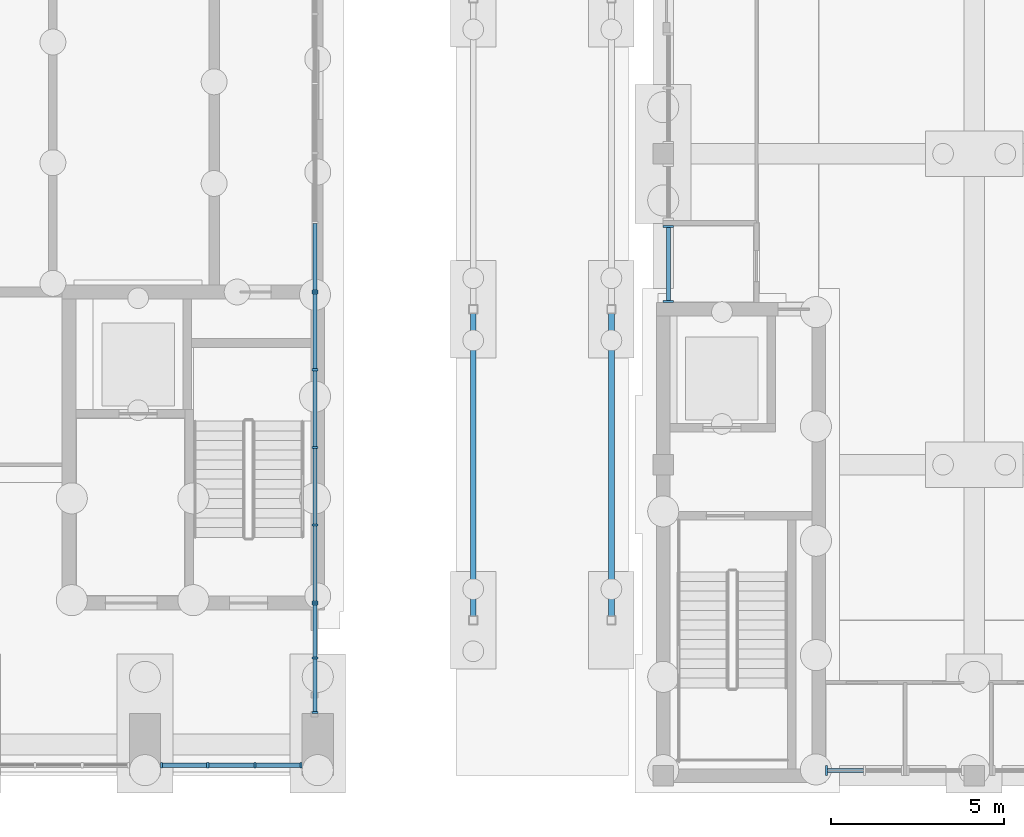
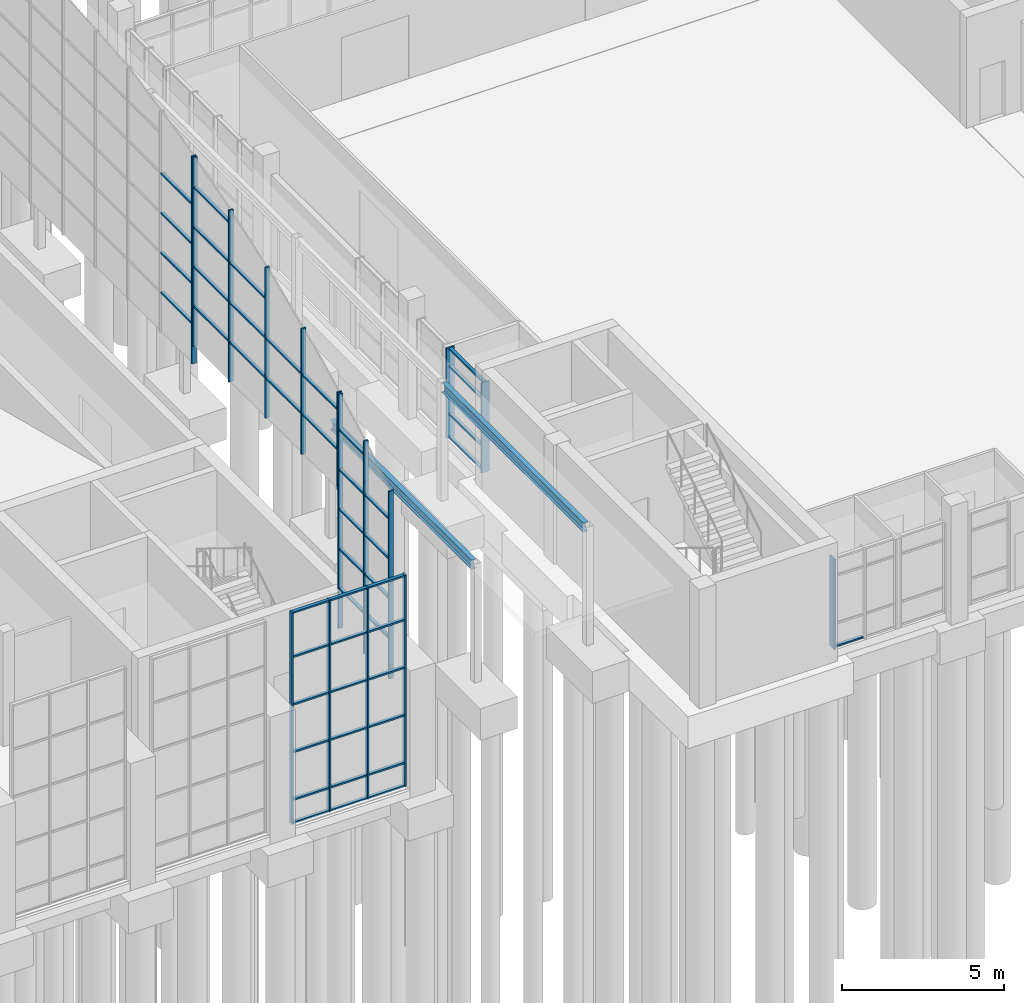
# One storey, part 28 of 106: 63 members, 2 beams, 6 elements without a shape of their own.
"""IFC4 building model written with IfcOpenShell, lengths in metres."""

from ifc_helpers import new_model, si_unit, direction, frame, origin, origin_2d, place, context, subcontext, project, spatial, rectangle, i_section, extrude, material, material_profile, profile_set, type_object, element, aggregate, save


model = new_model("IFC4")

# Units and contexts
model_context = context("Model", 3, precision=1e-05, world=origin(), true_north=direction((0.0, 1.0)))
body_context = subcontext(model_context, "Body", "Model", "MODEL_VIEW")
ifc_project = project(units=[si_unit("LENGTHUNIT", "METRE"), si_unit("AREAUNIT", "SQUARE_METRE"), si_unit("VOLUMEUNIT", "CUBIC_METRE"), si_unit("PLANEANGLEUNIT", "RADIAN"), si_unit("MASSUNIT", "GRAM", prefix="KILO")], contexts=[model_context])

# Site, building, storey
site_placement = place(None, origin())
site = spatial("IfcSite", under=ifc_project, at=site_placement, CompositionType="ELEMENT")
building_placement = place(site_placement, origin())
building = spatial("IfcBuilding", under=site, at=building_placement, Name="Merrow Basin Faculty of Sciences", CompositionType="ELEMENT")
storey_placement = place(building_placement, origin())
storey = spatial("IfcBuildingStorey", under=building, at=storey_placement, Name="L00", CompositionType="ELEMENT", Elevation=0.0)

# Curtain wall, members
ifc_material_1 = material(Name="Aluminium alloy 6063", Category="aluminium")
curtain_wall_type_1 = type_object("IfcCurtainWallType", Name="Arched curtain wall 160", PredefinedType="NOTDEFINED", material=ifc_material_1)
curtain_wall_1_placement = place(storey_placement, origin())
curtain_wall_1 = element("IfcCurtainWall", 1, at=curtain_wall_1_placement, inside=storey, type_object=curtain_wall_type_1, Name="East gable glazing A", PredefinedType="NOTDEFINED")
ifc_material_2 = material(Name="Aluminium alloy 6063", Category="aluminium")
ifc_material_profile_1 = material_profile(ifc_material_2, rectangle(XDim=0.159912109375, YDim=0.06005859375, at=origin_2d()))
ifc_profile_set_1 = profile_set([ifc_material_profile_1], Name="Aluminium alloy 6063")
member_type_1 = type_object("IfcMemberType", Name="Aluminium gable mullion 60x160", PredefinedType="MULLION", material=ifc_profile_set_1)
member_1_placement = place(storey_placement, frame((34.919921875, 1.830078125, 3.0), z_axis=(0.0, 0.0, 1.0), x_axis=(1.0, 0.0, 0.0)))
member_1 = element("IfcMember", 2, at=member_1_placement, type_object=member_type_1, Name="CW4 mullion 1", PredefinedType="MULLION", context=body_context, shape_type="SweptSolid", body=[
    extrude(rectangle(XDim=0.159912109375, YDim=0.06005859375, at=origin_2d()), origin(), (0.0, 0.0, 1.0), 7.090087890625),
])
member_2_placement = place(storey_placement, frame((34.919921875, 3.39990234375, 3.0), z_axis=(0.0, 0.0, 1.0), x_axis=(1.0, 0.0, 0.0)))
member_2 = element("IfcMember", 3, at=member_2_placement, type_object=member_type_1, Name="CW4 mullion 2", PredefinedType="MULLION", context=body_context, shape_type="SweptSolid", body=[
    extrude(rectangle(XDim=0.159912109375, YDim=0.06005859375, at=origin_2d()), origin(), (0.0, 0.0, 1.0), 8.034912109375),
])
member_3_placement = place(storey_placement, frame((34.919921875, 4.969970703125, 3.0), z_axis=(0.0, 0.0, 1.0), x_axis=(1.0, 0.0, 0.0)))
member_3 = element("IfcMember", 4, at=member_3_placement, type_object=member_type_1, Name="CW4 mullion 3", PredefinedType="MULLION", context=body_context, shape_type="SweptSolid", body=[
    extrude(rectangle(XDim=0.159912109375, YDim=0.06005859375, at=origin_2d()), origin(), (0.0, 0.0, 1.0), 8.85595703125),
])

curtain_wall_2_placement = place(storey_placement, origin())
curtain_wall_2 = element("IfcCurtainWall", 5, at=curtain_wall_2_placement, inside=storey, type_object=curtain_wall_type_1, Name="East gable glazing B", PredefinedType="NOTDEFINED")
member_4_placement = place(storey_placement, frame((34.919921875, 5.030029296875, 8.199951171875), z_axis=(0.0, 0.0, 1.0), x_axis=(1.0, 0.0, 0.0)))
member_4 = element("IfcMember", 6, at=member_4_placement, type_object=member_type_1, Name="CW4 mullion 1", PredefinedType="MULLION", context=body_context, shape_type="SweptSolid", body=[
    extrude(rectangle(XDim=0.159912109375, YDim=0.06005859375, at=origin_2d()), origin(), (0.0, 0.0, 1.0), 3.68798828125),
])
member_5_placement = place(storey_placement, frame((34.919921875, 7.25, 8.199951171875), z_axis=(0.0, 0.0, 1.0), x_axis=(1.0, 0.0, 0.0)))
member_5 = element("IfcMember", 7, at=member_5_placement, type_object=member_type_1, Name="CW4 mullion 2", PredefinedType="MULLION", context=body_context, shape_type="SweptSolid", body=[
    extrude(rectangle(XDim=0.159912109375, YDim=0.06005859375, at=origin_2d()), origin(), (0.0, 0.0, 1.0), 4.7451171875),
])
member_6_placement = place(storey_placement, frame((34.919921875, 9.5, 8.199951171875), z_axis=(0.0, 0.0, 1.0), x_axis=(1.0, 0.0, 0.0)))
member_6 = element("IfcMember", 8, at=member_6_placement, type_object=member_type_1, Name="CW4 mullion 3", PredefinedType="MULLION", context=body_context, shape_type="SweptSolid", body=[
    extrude(rectangle(XDim=0.159912109375, YDim=0.06005859375, at=origin_2d()), origin(), (0.0, 0.0, 1.0), 5.68798828125),
])
member_7_placement = place(storey_placement, frame((34.919921875, 11.75, 8.199951171875), z_axis=(0.0, 0.0, 1.0), x_axis=(1.0, 0.0, 0.0)))
member_7 = element("IfcMember", 9, at=member_7_placement, type_object=member_type_1, Name="CW4 mullion 4", PredefinedType="MULLION", context=body_context, shape_type="SweptSolid", body=[
    extrude(rectangle(XDim=0.159912109375, YDim=0.06005859375, at=origin_2d()), origin(), (0.0, 0.0, 1.0), 6.486083984375),
])
member_8_placement = place(storey_placement, frame((34.919921875, 13.969970703125, 8.199951171875), z_axis=(0.0, 0.0, 1.0), x_axis=(1.0, 0.0, 0.0)))
member_8 = element("IfcMember", 10, at=member_8_placement, type_object=member_type_1, Name="CW4 mullion 5", PredefinedType="MULLION", context=body_context, shape_type="SweptSolid", body=[
    extrude(rectangle(XDim=0.159912109375, YDim=0.06005859375, at=origin_2d()), origin(), (0.0, 0.0, 1.0), 7.129150390625),
])

# Curtain wall, member
curtain_wall_3_placement = place(storey_placement, origin())
curtain_wall_3 = element("IfcCurtainWall", 11, at=curtain_wall_3_placement, inside=storey, type_object=curtain_wall_type_1, Name="East gable glazing C", PredefinedType="NOTDEFINED")
member_9_placement = place(storey_placement, frame((34.919921875, 14.030029296875, 7.5), z_axis=(0.0, 0.0, 1.0), x_axis=(1.0, 0.0, 0.0)))
member_9 = element("IfcMember", 12, at=member_9_placement, type_object=member_type_1, Name="CW4 mullion 1", PredefinedType="MULLION", context=body_context, shape_type="SweptSolid", body=[
    extrude(rectangle(XDim=0.159912109375, YDim=0.06005859375, at=origin_2d()), origin(), (0.0, 0.0, 1.0), 7.845947265625),
])

# Member
ifc_material_3 = material(Name="Aluminium alloy 6063", Category="aluminium")
ifc_material_profile_2 = material_profile(ifc_material_3, rectangle(XDim=0.1201171875, YDim=0.06005859375, at=origin_2d()))
ifc_profile_set_2 = profile_set([ifc_material_profile_2], Name="Aluminium alloy 6063")
member_type_2 = type_object("IfcMemberType", Name="Aluminium gable transom 60x120", PredefinedType="USERDEFINED", material=ifc_profile_set_2)
member_10_placement = place(storey_placement, frame((34.919921875, 1.860107421875, 4.5), z_axis=(0.0, 1.0, 0.0), x_axis=(-1.0, 0.0, 0.0)))
member_10 = element("IfcMember", 13, at=member_10_placement, type_object=member_type_2, Name="CW4 transom 1.1", ObjectType="TRANSOM", PredefinedType="USERDEFINED", context=body_context, shape_type="SweptSolid", body=[
    extrude(rectangle(XDim=0.1201171875, YDim=0.06005859375, at=origin_2d()), origin(), (0.0, 0.0, 1.0), 1.510009765625),
])

member_11_placement = place(storey_placement, frame((34.919921875, 1.860107421875, 6.0), z_axis=(0.0, 1.0, 0.0), x_axis=(-1.0, 0.0, 0.0)))
member_11 = element("IfcMember", 14, at=member_11_placement, type_object=member_type_2, Name="CW4 transom 1.2", ObjectType="TRANSOM", PredefinedType="USERDEFINED", context=body_context, shape_type="SweptSolid", body=[
    extrude(rectangle(XDim=0.1201171875, YDim=0.06005859375, at=origin_2d()), origin(), (0.0, 0.0, 1.0), 1.510009765625),
])

member_12_placement = place(storey_placement, frame((34.919921875, 1.860107421875, 7.5), z_axis=(0.0, 1.0, 0.0), x_axis=(-1.0, 0.0, 0.0)))
member_12 = element("IfcMember", 15, at=member_12_placement, type_object=member_type_2, Name="CW4 transom 1.3", ObjectType="TRANSOM", PredefinedType="USERDEFINED", context=body_context, shape_type="SweptSolid", body=[
    extrude(rectangle(XDim=0.1201171875, YDim=0.06005859375, at=origin_2d()), origin(), (0.0, 0.0, 1.0), 1.510009765625),
])

member_13_placement = place(storey_placement, frame((34.919921875, 1.860107421875, 9.0), z_axis=(0.0, 1.0, 0.0), x_axis=(-1.0, 0.0, 0.0)))
member_13 = element("IfcMember", 16, at=member_13_placement, type_object=member_type_2, Name="CW4 transom 1.4", ObjectType="TRANSOM", PredefinedType="USERDEFINED", context=body_context, shape_type="SweptSolid", body=[
    extrude(rectangle(XDim=0.1201171875, YDim=0.06005859375, at=origin_2d()), origin(), (0.0, 0.0, 1.0), 1.510009765625),
])

member_14_placement = place(storey_placement, frame((34.919921875, 3.429931640625, 4.5), z_axis=(0.0, 1.0, 0.0), x_axis=(-1.0, 0.0, 0.0)))
member_14 = element("IfcMember", 17, at=member_14_placement, type_object=member_type_2, Name="CW4 transom 2.1", ObjectType="TRANSOM", PredefinedType="USERDEFINED", context=body_context, shape_type="SweptSolid", body=[
    extrude(rectangle(XDim=0.1201171875, YDim=0.06005859375, at=origin_2d()), origin(), (0.0, 0.0, 1.0), 1.510009765625),
])

member_15_placement = place(storey_placement, frame((34.919921875, 3.429931640625, 6.0), z_axis=(0.0, 1.0, 0.0), x_axis=(-1.0, 0.0, 0.0)))
member_15 = element("IfcMember", 18, at=member_15_placement, type_object=member_type_2, Name="CW4 transom 2.2", ObjectType="TRANSOM", PredefinedType="USERDEFINED", context=body_context, shape_type="SweptSolid", body=[
    extrude(rectangle(XDim=0.1201171875, YDim=0.06005859375, at=origin_2d()), origin(), (0.0, 0.0, 1.0), 1.510009765625),
])

member_16_placement = place(storey_placement, frame((34.919921875, 3.429931640625, 7.5), z_axis=(0.0, 1.0, 0.0), x_axis=(-1.0, 0.0, 0.0)))
member_16 = element("IfcMember", 19, at=member_16_placement, type_object=member_type_2, Name="CW4 transom 2.3", ObjectType="TRANSOM", PredefinedType="USERDEFINED", context=body_context, shape_type="SweptSolid", body=[
    extrude(rectangle(XDim=0.1201171875, YDim=0.06005859375, at=origin_2d()), origin(), (0.0, 0.0, 1.0), 1.510009765625),
])

member_17_placement = place(storey_placement, frame((34.919921875, 3.429931640625, 9.0), z_axis=(0.0, 1.0, 0.0), x_axis=(-1.0, 0.0, 0.0)))
member_17 = element("IfcMember", 20, at=member_17_placement, type_object=member_type_2, Name="CW4 transom 2.4", ObjectType="TRANSOM", PredefinedType="USERDEFINED", context=body_context, shape_type="SweptSolid", body=[
    extrude(rectangle(XDim=0.1201171875, YDim=0.06005859375, at=origin_2d()), origin(), (0.0, 0.0, 1.0), 1.510009765625),
])

member_18_placement = place(storey_placement, frame((34.919921875, 3.429931640625, 10.5), z_axis=(0.0, 1.0, 0.0), x_axis=(-1.0, 0.0, 0.0)))
member_18 = element("IfcMember", 21, at=member_18_placement, type_object=member_type_2, Name="CW4 transom 2.5", ObjectType="TRANSOM", PredefinedType="USERDEFINED", context=body_context, shape_type="SweptSolid", body=[
    extrude(rectangle(XDim=0.1201171875, YDim=0.06005859375, at=origin_2d()), origin(), (0.0, 0.0, 1.0), 1.510009765625),
])

aggregate(curtain_wall_1, [member_1, member_2, member_3, member_10, member_11, member_12, member_13, member_14, member_15, member_16, member_17, member_18])

member_19_placement = place(storey_placement, frame((34.919921875, 5.06005859375, 9.699951171875), z_axis=(0.0, 1.0, 0.0), x_axis=(-1.0, 0.0, 0.0)))
member_19 = element("IfcMember", 22, at=member_19_placement, type_object=member_type_2, Name="CW4 transom 1.1", ObjectType="TRANSOM", PredefinedType="USERDEFINED", context=body_context, shape_type="SweptSolid", body=[
    extrude(rectangle(XDim=0.1201171875, YDim=0.06005859375, at=origin_2d()), origin(), (0.0, 0.0, 1.0), 2.159912109375),
])

member_20_placement = place(storey_placement, frame((34.919921875, 5.06005859375, 11.199951171875), z_axis=(0.0, 1.0, 0.0), x_axis=(-1.0, 0.0, 0.0)))
member_20 = element("IfcMember", 23, at=member_20_placement, type_object=member_type_2, Name="CW4 transom 1.2", ObjectType="TRANSOM", PredefinedType="USERDEFINED", context=body_context, shape_type="SweptSolid", body=[
    extrude(rectangle(XDim=0.1201171875, YDim=0.06005859375, at=origin_2d()), origin(), (0.0, 0.0, 1.0), 2.159912109375),
])

member_21_placement = place(storey_placement, frame((34.919921875, 7.280029296875, 9.699951171875), z_axis=(0.0, 1.0, 0.0), x_axis=(-1.0, 0.0, 0.0)))
member_21 = element("IfcMember", 24, at=member_21_placement, type_object=member_type_2, Name="CW4 transom 2.1", ObjectType="TRANSOM", PredefinedType="USERDEFINED", context=body_context, shape_type="SweptSolid", body=[
    extrude(rectangle(XDim=0.1201171875, YDim=0.06005859375, at=origin_2d()), origin(), (0.0, 0.0, 1.0), 2.18994140625),
])

member_22_placement = place(storey_placement, frame((34.919921875, 7.280029296875, 11.199951171875), z_axis=(0.0, 1.0, 0.0), x_axis=(-1.0, 0.0, 0.0)))
member_22 = element("IfcMember", 25, at=member_22_placement, type_object=member_type_2, Name="CW4 transom 2.2", ObjectType="TRANSOM", PredefinedType="USERDEFINED", context=body_context, shape_type="SweptSolid", body=[
    extrude(rectangle(XDim=0.1201171875, YDim=0.06005859375, at=origin_2d()), origin(), (0.0, 0.0, 1.0), 2.18994140625),
])

member_23_placement = place(storey_placement, frame((34.919921875, 9.530029296875, 9.699951171875), z_axis=(0.0, 1.0, 0.0), x_axis=(-1.0, 0.0, 0.0)))
member_23 = element("IfcMember", 26, at=member_23_placement, type_object=member_type_2, Name="CW4 transom 3.1", ObjectType="TRANSOM", PredefinedType="USERDEFINED", context=body_context, shape_type="SweptSolid", body=[
    extrude(rectangle(XDim=0.1201171875, YDim=0.06005859375, at=origin_2d()), origin(), (0.0, 0.0, 1.0), 2.18994140625),
])

member_24_placement = place(storey_placement, frame((34.919921875, 9.530029296875, 11.199951171875), z_axis=(0.0, 1.0, 0.0), x_axis=(-1.0, 0.0, 0.0)))
member_24 = element("IfcMember", 27, at=member_24_placement, type_object=member_type_2, Name="CW4 transom 3.2", ObjectType="TRANSOM", PredefinedType="USERDEFINED", context=body_context, shape_type="SweptSolid", body=[
    extrude(rectangle(XDim=0.1201171875, YDim=0.06005859375, at=origin_2d()), origin(), (0.0, 0.0, 1.0), 2.18994140625),
])

member_25_placement = place(storey_placement, frame((34.919921875, 9.530029296875, 12.699951171875), z_axis=(0.0, 1.0, 0.0), x_axis=(-1.0, 0.0, 0.0)))
member_25 = element("IfcMember", 28, at=member_25_placement, type_object=member_type_2, Name="CW4 transom 3.3", ObjectType="TRANSOM", PredefinedType="USERDEFINED", context=body_context, shape_type="SweptSolid", body=[
    extrude(rectangle(XDim=0.1201171875, YDim=0.06005859375, at=origin_2d()), origin(), (0.0, 0.0, 1.0), 2.18994140625),
])

member_26_placement = place(storey_placement, frame((34.919921875, 11.780029296875, 9.699951171875), z_axis=(0.0, 1.0, 0.0), x_axis=(-1.0, 0.0, 0.0)))
member_26 = element("IfcMember", 29, at=member_26_placement, type_object=member_type_2, Name="CW4 transom 4.1", ObjectType="TRANSOM", PredefinedType="USERDEFINED", context=body_context, shape_type="SweptSolid", body=[
    extrude(rectangle(XDim=0.1201171875, YDim=0.06005859375, at=origin_2d()), origin(), (0.0, 0.0, 1.0), 2.159912109375),
])

member_27_placement = place(storey_placement, frame((34.919921875, 11.780029296875, 11.199951171875), z_axis=(0.0, 1.0, 0.0), x_axis=(-1.0, 0.0, 0.0)))
member_27 = element("IfcMember", 30, at=member_27_placement, type_object=member_type_2, Name="CW4 transom 4.2", ObjectType="TRANSOM", PredefinedType="USERDEFINED", context=body_context, shape_type="SweptSolid", body=[
    extrude(rectangle(XDim=0.1201171875, YDim=0.06005859375, at=origin_2d()), origin(), (0.0, 0.0, 1.0), 2.159912109375),
])

member_28_placement = place(storey_placement, frame((34.919921875, 11.780029296875, 12.699951171875), z_axis=(0.0, 1.0, 0.0), x_axis=(-1.0, 0.0, 0.0)))
member_28 = element("IfcMember", 31, at=member_28_placement, type_object=member_type_2, Name="CW4 transom 4.3", ObjectType="TRANSOM", PredefinedType="USERDEFINED", context=body_context, shape_type="SweptSolid", body=[
    extrude(rectangle(XDim=0.1201171875, YDim=0.06005859375, at=origin_2d()), origin(), (0.0, 0.0, 1.0), 2.159912109375),
])

member_29_placement = place(storey_placement, frame((34.919921875, 11.780029296875, 14.199951171875), z_axis=(0.0, 1.0, 0.0), x_axis=(-1.0, 0.0, 0.0)))
member_29 = element("IfcMember", 32, at=member_29_placement, type_object=member_type_2, Name="CW4 transom 4.4", ObjectType="TRANSOM", PredefinedType="USERDEFINED", context=body_context, shape_type="SweptSolid", body=[
    extrude(rectangle(XDim=0.1201171875, YDim=0.06005859375, at=origin_2d()), origin(), (0.0, 0.0, 1.0), 2.159912109375),
])

aggregate(curtain_wall_2, [member_4, member_5, member_6, member_7, member_8, member_19, member_20, member_21, member_22, member_23, member_24, member_25, member_26, member_27, member_28, member_29])

member_30_placement = place(storey_placement, frame((34.919921875, 14.06005859375, 9.0), z_axis=(0.0, 1.0, 0.0), x_axis=(-1.0, 0.0, 0.0)))
member_30 = element("IfcMember", 33, at=member_30_placement, type_object=member_type_2, Name="CW4 transom 1.1", ObjectType="TRANSOM", PredefinedType="USERDEFINED", context=body_context, shape_type="SweptSolid", body=[
    extrude(rectangle(XDim=0.1201171875, YDim=0.06005859375, at=origin_2d()), origin(), (0.0, 0.0, 1.0), 1.9208984375),
])

member_31_placement = place(storey_placement, frame((34.919921875, 14.06005859375, 10.5), z_axis=(0.0, 1.0, 0.0), x_axis=(-1.0, 0.0, 0.0)))
member_31 = element("IfcMember", 34, at=member_31_placement, type_object=member_type_2, Name="CW4 transom 1.2", ObjectType="TRANSOM", PredefinedType="USERDEFINED", context=body_context, shape_type="SweptSolid", body=[
    extrude(rectangle(XDim=0.1201171875, YDim=0.06005859375, at=origin_2d()), origin(), (0.0, 0.0, 1.0), 1.9208984375),
])

member_32_placement = place(storey_placement, frame((34.919921875, 14.06005859375, 12.0), z_axis=(0.0, 1.0, 0.0), x_axis=(-1.0, 0.0, 0.0)))
member_32 = element("IfcMember", 35, at=member_32_placement, type_object=member_type_2, Name="CW4 transom 1.3", ObjectType="TRANSOM", PredefinedType="USERDEFINED", context=body_context, shape_type="SweptSolid", body=[
    extrude(rectangle(XDim=0.1201171875, YDim=0.06005859375, at=origin_2d()), origin(), (0.0, 0.0, 1.0), 1.9208984375),
])

member_33_placement = place(storey_placement, frame((34.919921875, 14.06005859375, 13.5), z_axis=(0.0, 1.0, 0.0), x_axis=(-1.0, 0.0, 0.0)))
member_33 = element("IfcMember", 36, at=member_33_placement, type_object=member_type_2, Name="CW4 transom 1.4", ObjectType="TRANSOM", PredefinedType="USERDEFINED", context=body_context, shape_type="SweptSolid", body=[
    extrude(rectangle(XDim=0.1201171875, YDim=0.06005859375, at=origin_2d()), origin(), (0.0, 0.0, 1.0), 1.9208984375),
])

aggregate(curtain_wall_3, [member_9, member_30, member_31, member_32, member_33])

# Curtain wall, members
ifc_material_4 = material(Name="Aluminium alloy 6063", Category="aluminium")
curtain_wall_type_2 = type_object("IfcCurtainWallType", Name="Unitised curtain wall 160", PredefinedType="NOTDEFINED", material=ifc_material_4)
curtain_wall_4_placement = place(storey_placement, origin())
curtain_wall_4 = element("IfcCurtainWall", 37, at=curtain_wall_4_placement, inside=storey, type_object=curtain_wall_type_2, Name="South foyer curtain wall", PredefinedType="NOTDEFINED")
ifc_material_5 = material(Name="Aluminium alloy 6063", Category="aluminium")
ifc_material_profile_3 = material_profile(ifc_material_5, rectangle(XDim=0.159912109375, YDim=0.06005859375, at=origin_2d()))
ifc_profile_set_3 = profile_set([ifc_material_profile_3], Name="Aluminium alloy 6063")
member_type_3 = type_object("IfcMemberType", Name="Aluminium mullion 60x160", PredefinedType="MULLION", material=ifc_profile_set_3)
member_34_placement = place(storey_placement, frame((30.47998046875, 0.300048828125, 0.0), z_axis=(0.0, 0.0, 1.0), x_axis=(0.0, 1.0, 0.0)))
member_34 = element("IfcMember", 38, at=member_34_placement, type_object=member_type_3, Name="CW3 mullion 1", PredefinedType="MULLION", context=body_context, shape_type="SweptSolid", body=[
    extrude(rectangle(XDim=0.159912109375, YDim=0.06005859375, at=origin_2d()), origin(), (0.0, 0.0, 1.0), 8.0),
])
member_35_placement = place(storey_placement, frame((31.816650390625, 0.300048828125, 0.0), z_axis=(0.0, 0.0, 1.0), x_axis=(0.0, 1.0, 0.0)))
member_35 = element("IfcMember", 39, at=member_35_placement, type_object=member_type_3, Name="CW3 mullion 2", PredefinedType="MULLION", context=body_context, shape_type="SweptSolid", body=[
    extrude(rectangle(XDim=0.159912109375, YDim=0.06005859375, at=origin_2d()), origin(), (0.0, 0.0, 1.0), 8.0),
])
member_36_placement = place(storey_placement, frame((33.183349609375, 0.300048828125, 0.0), z_axis=(0.0, 0.0, 1.0), x_axis=(0.0, 1.0, 0.0)))
member_36 = element("IfcMember", 40, at=member_36_placement, type_object=member_type_3, Name="CW3 mullion 3", PredefinedType="MULLION", context=body_context, shape_type="SweptSolid", body=[
    extrude(rectangle(XDim=0.159912109375, YDim=0.06005859375, at=origin_2d()), origin(), (0.0, 0.0, 1.0), 8.0),
])
member_37_placement = place(storey_placement, frame((34.52001953125, 0.300048828125, 0.0), z_axis=(0.0, 0.0, 1.0), x_axis=(0.0, 1.0, 0.0)))
member_37 = element("IfcMember", 41, at=member_37_placement, type_object=member_type_3, Name="CW3 mullion 4", PredefinedType="MULLION", context=body_context, shape_type="SweptSolid", body=[
    extrude(rectangle(XDim=0.159912109375, YDim=0.06005859375, at=origin_2d()), origin(), (0.0, 0.0, 1.0), 8.0),
])

ifc_material_6 = material(Name="Aluminium alloy 6063", Category="aluminium")
curtain_wall_type_3 = type_object("IfcCurtainWallType", Name="Atrium concourse curtain wall 300", PredefinedType="NOTDEFINED", material=ifc_material_6)
curtain_wall_5_placement = place(storey_placement, origin())
curtain_wall_5 = element("IfcCurtainWall", 42, at=curtain_wall_5_placement, inside=storey, type_object=curtain_wall_type_3, Name="W curtain wall L00 1", PredefinedType="NOTDEFINED")
ifc_material_7 = material(Name="Aluminium alloy 6063", Category="aluminium")
ifc_material_profile_4 = material_profile(ifc_material_7, rectangle(XDim=0.300048828125, YDim=0.06005859375, at=origin_2d()))
ifc_profile_set_4 = profile_set([ifc_material_profile_4], Name="Aluminium alloy 6063")
member_type_4 = type_object("IfcMemberType", Name="Aluminium mullion 60x300", PredefinedType="MULLION", material=ifc_profile_set_4)
member_38_placement = place(storey_placement, frame((45.14990234375, 13.72998046875, 0.0), z_axis=(0.0, 0.0, 1.0), x_axis=(-1.0, 0.0, 0.0)))
member_38 = element("IfcMember", 43, at=member_38_placement, type_object=member_type_4, Name="CW6 mullion 1", PredefinedType="MULLION", context=body_context, shape_type="SweptSolid", body=[
    extrude(rectangle(XDim=0.300048828125, YDim=0.06005859375, at=origin_2d()), origin(), (0.0, 0.0, 1.0), 3.39990234375),
])
member_39_placement = place(storey_placement, frame((45.14990234375, 15.89501953125, 0.0), z_axis=(0.0, 0.0, 1.0), x_axis=(-1.0, 0.0, 0.0)))
member_39 = element("IfcMember", 44, at=member_39_placement, type_object=member_type_4, Name="CW6 mullion 2", PredefinedType="MULLION", context=body_context, shape_type="SweptSolid", body=[
    extrude(rectangle(XDim=0.300048828125, YDim=0.06005859375, at=origin_2d()), origin(), (0.0, 0.0, 1.0), 3.39990234375),
])

# Curtain wall, member
curtain_wall_6_placement = place(storey_placement, origin())
curtain_wall_6 = element("IfcCurtainWall", 45, at=curtain_wall_6_placement, inside=storey, type_object=curtain_wall_type_3, Name="S curtain wall L00 1", PredefinedType="NOTDEFINED")
member_40_placement = place(storey_placement, frame((49.72998046875, 0.14990234375, 0.0), z_axis=(0.0, 0.0, 1.0), x_axis=(0.0, 1.0, 0.0)))
member_40 = element("IfcMember", 46, at=member_40_placement, type_object=member_type_4, Name="CW6 mullion 1", PredefinedType="MULLION", context=body_context, shape_type="SweptSolid", body=[
    extrude(rectangle(XDim=0.300048828125, YDim=0.06005859375, at=origin_2d()), origin(), (0.0, 0.0, 1.0), 3.39990234375),
])

# Member
ifc_material_8 = material(Name="Aluminium alloy 6063", Category="aluminium")
ifc_material_profile_5 = material_profile(ifc_material_8, rectangle(XDim=0.1201171875, YDim=0.06005859375, at=origin_2d()))
ifc_profile_set_5 = profile_set([ifc_material_profile_5], Name="Aluminium alloy 6063")
member_type_5 = type_object("IfcMemberType", Name="Aluminium transom 60x120", PredefinedType="USERDEFINED", material=ifc_profile_set_5)
member_41_placement = place(storey_placement, frame((30.510009765625, 0.300048828125, 0.030029296875), z_axis=(1.0, 0.0, 0.0), x_axis=(0.0, 1.0, 0.0)))
member_41 = element("IfcMember", 47, at=member_41_placement, type_object=member_type_5, Name="CW3 transom 1.1", ObjectType="TRANSOM", PredefinedType="USERDEFINED", context=body_context, shape_type="SweptSolid", body=[
    extrude(rectangle(XDim=0.1201171875, YDim=0.06005859375, at=origin_2d()), origin(), (0.0, 0.0, 1.0), 1.276611328125),
])

member_42_placement = place(storey_placement, frame((30.510009765625, 0.300048828125, 0.89990234375), z_axis=(1.0, 0.0, 0.0), x_axis=(0.0, 1.0, 0.0)))
member_42 = element("IfcMember", 48, at=member_42_placement, type_object=member_type_5, Name="CW3 transom 1.2", ObjectType="TRANSOM", PredefinedType="USERDEFINED", context=body_context, shape_type="SweptSolid", body=[
    extrude(rectangle(XDim=0.1201171875, YDim=0.06005859375, at=origin_2d()), origin(), (0.0, 0.0, 1.0), 1.276611328125),
])

member_43_placement = place(storey_placement, frame((30.510009765625, 0.300048828125, 2.699951171875), z_axis=(1.0, 0.0, 0.0), x_axis=(0.0, 1.0, 0.0)))
member_43 = element("IfcMember", 49, at=member_43_placement, type_object=member_type_5, Name="CW3 transom 1.3", ObjectType="TRANSOM", PredefinedType="USERDEFINED", context=body_context, shape_type="SweptSolid", body=[
    extrude(rectangle(XDim=0.1201171875, YDim=0.06005859375, at=origin_2d()), origin(), (0.0, 0.0, 1.0), 1.276611328125),
])

member_44_placement = place(storey_placement, frame((30.510009765625, 0.300048828125, 4.5), z_axis=(1.0, 0.0, 0.0), x_axis=(0.0, 1.0, 0.0)))
member_44 = element("IfcMember", 50, at=member_44_placement, type_object=member_type_5, Name="CW3 transom 1.4", ObjectType="TRANSOM", PredefinedType="USERDEFINED", context=body_context, shape_type="SweptSolid", body=[
    extrude(rectangle(XDim=0.1201171875, YDim=0.06005859375, at=origin_2d()), origin(), (0.0, 0.0, 1.0), 1.276611328125),
])

member_45_placement = place(storey_placement, frame((30.510009765625, 0.300048828125, 6.300048828125), z_axis=(1.0, 0.0, 0.0), x_axis=(0.0, 1.0, 0.0)))
member_45 = element("IfcMember", 51, at=member_45_placement, type_object=member_type_5, Name="CW3 transom 1.5", ObjectType="TRANSOM", PredefinedType="USERDEFINED", context=body_context, shape_type="SweptSolid", body=[
    extrude(rectangle(XDim=0.1201171875, YDim=0.06005859375, at=origin_2d()), origin(), (0.0, 0.0, 1.0), 1.276611328125),
])

member_46_placement = place(storey_placement, frame((30.510009765625, 0.300048828125, 7.969970703125), z_axis=(1.0, 0.0, 0.0), x_axis=(0.0, 1.0, 0.0)))
member_46 = element("IfcMember", 52, at=member_46_placement, type_object=member_type_5, Name="CW3 transom 1.6", ObjectType="TRANSOM", PredefinedType="USERDEFINED", context=body_context, shape_type="SweptSolid", body=[
    extrude(rectangle(XDim=0.1201171875, YDim=0.06005859375, at=origin_2d()), origin(), (0.0, 0.0, 1.0), 1.276611328125),
])

member_47_placement = place(storey_placement, frame((31.8466796875, 0.300048828125, 0.030029296875), z_axis=(1.0, 0.0, 0.0), x_axis=(0.0, 1.0, 0.0)))
member_47 = element("IfcMember", 53, at=member_47_placement, type_object=member_type_5, Name="CW3 transom 2.1", ObjectType="TRANSOM", PredefinedType="USERDEFINED", context=body_context, shape_type="SweptSolid", body=[
    extrude(rectangle(XDim=0.1201171875, YDim=0.06005859375, at=origin_2d()), origin(), (0.0, 0.0, 1.0), 1.306640625),
])

member_48_placement = place(storey_placement, frame((31.8466796875, 0.300048828125, 0.89990234375), z_axis=(1.0, 0.0, 0.0), x_axis=(0.0, 1.0, 0.0)))
member_48 = element("IfcMember", 54, at=member_48_placement, type_object=member_type_5, Name="CW3 transom 2.2", ObjectType="TRANSOM", PredefinedType="USERDEFINED", context=body_context, shape_type="SweptSolid", body=[
    extrude(rectangle(XDim=0.1201171875, YDim=0.06005859375, at=origin_2d()), origin(), (0.0, 0.0, 1.0), 1.306640625),
])

member_49_placement = place(storey_placement, frame((31.8466796875, 0.300048828125, 2.699951171875), z_axis=(1.0, 0.0, 0.0), x_axis=(0.0, 1.0, 0.0)))
member_49 = element("IfcMember", 55, at=member_49_placement, type_object=member_type_5, Name="CW3 transom 2.3", ObjectType="TRANSOM", PredefinedType="USERDEFINED", context=body_context, shape_type="SweptSolid", body=[
    extrude(rectangle(XDim=0.1201171875, YDim=0.06005859375, at=origin_2d()), origin(), (0.0, 0.0, 1.0), 1.306640625),
])

member_50_placement = place(storey_placement, frame((31.8466796875, 0.300048828125, 4.5), z_axis=(1.0, 0.0, 0.0), x_axis=(0.0, 1.0, 0.0)))
member_50 = element("IfcMember", 56, at=member_50_placement, type_object=member_type_5, Name="CW3 transom 2.4", ObjectType="TRANSOM", PredefinedType="USERDEFINED", context=body_context, shape_type="SweptSolid", body=[
    extrude(rectangle(XDim=0.1201171875, YDim=0.06005859375, at=origin_2d()), origin(), (0.0, 0.0, 1.0), 1.306640625),
])

member_51_placement = place(storey_placement, frame((31.8466796875, 0.300048828125, 6.300048828125), z_axis=(1.0, 0.0, 0.0), x_axis=(0.0, 1.0, 0.0)))
member_51 = element("IfcMember", 57, at=member_51_placement, type_object=member_type_5, Name="CW3 transom 2.5", ObjectType="TRANSOM", PredefinedType="USERDEFINED", context=body_context, shape_type="SweptSolid", body=[
    extrude(rectangle(XDim=0.1201171875, YDim=0.06005859375, at=origin_2d()), origin(), (0.0, 0.0, 1.0), 1.306640625),
])

member_52_placement = place(storey_placement, frame((31.8466796875, 0.300048828125, 7.969970703125), z_axis=(1.0, 0.0, 0.0), x_axis=(0.0, 1.0, 0.0)))
member_52 = element("IfcMember", 58, at=member_52_placement, type_object=member_type_5, Name="CW3 transom 2.6", ObjectType="TRANSOM", PredefinedType="USERDEFINED", context=body_context, shape_type="SweptSolid", body=[
    extrude(rectangle(XDim=0.1201171875, YDim=0.06005859375, at=origin_2d()), origin(), (0.0, 0.0, 1.0), 1.306640625),
])

member_53_placement = place(storey_placement, frame((33.21337890625, 0.300048828125, 0.030029296875), z_axis=(1.0, 0.0, 0.0), x_axis=(0.0, 1.0, 0.0)))
member_53 = element("IfcMember", 59, at=member_53_placement, type_object=member_type_5, Name="CW3 transom 3.1", ObjectType="TRANSOM", PredefinedType="USERDEFINED", context=body_context, shape_type="SweptSolid", body=[
    extrude(rectangle(XDim=0.1201171875, YDim=0.06005859375, at=origin_2d()), origin(), (0.0, 0.0, 1.0), 1.276611328125),
])

member_54_placement = place(storey_placement, frame((33.21337890625, 0.300048828125, 0.89990234375), z_axis=(1.0, 0.0, 0.0), x_axis=(0.0, 1.0, 0.0)))
member_54 = element("IfcMember", 60, at=member_54_placement, type_object=member_type_5, Name="CW3 transom 3.2", ObjectType="TRANSOM", PredefinedType="USERDEFINED", context=body_context, shape_type="SweptSolid", body=[
    extrude(rectangle(XDim=0.1201171875, YDim=0.06005859375, at=origin_2d()), origin(), (0.0, 0.0, 1.0), 1.276611328125),
])

member_55_placement = place(storey_placement, frame((33.21337890625, 0.300048828125, 2.699951171875), z_axis=(1.0, 0.0, 0.0), x_axis=(0.0, 1.0, 0.0)))
member_55 = element("IfcMember", 61, at=member_55_placement, type_object=member_type_5, Name="CW3 transom 3.3", ObjectType="TRANSOM", PredefinedType="USERDEFINED", context=body_context, shape_type="SweptSolid", body=[
    extrude(rectangle(XDim=0.1201171875, YDim=0.06005859375, at=origin_2d()), origin(), (0.0, 0.0, 1.0), 1.276611328125),
])

member_56_placement = place(storey_placement, frame((33.21337890625, 0.300048828125, 4.5), z_axis=(1.0, 0.0, 0.0), x_axis=(0.0, 1.0, 0.0)))
member_56 = element("IfcMember", 62, at=member_56_placement, type_object=member_type_5, Name="CW3 transom 3.4", ObjectType="TRANSOM", PredefinedType="USERDEFINED", context=body_context, shape_type="SweptSolid", body=[
    extrude(rectangle(XDim=0.1201171875, YDim=0.06005859375, at=origin_2d()), origin(), (0.0, 0.0, 1.0), 1.276611328125),
])

member_57_placement = place(storey_placement, frame((33.21337890625, 0.300048828125, 6.300048828125), z_axis=(1.0, 0.0, 0.0), x_axis=(0.0, 1.0, 0.0)))
member_57 = element("IfcMember", 63, at=member_57_placement, type_object=member_type_5, Name="CW3 transom 3.5", ObjectType="TRANSOM", PredefinedType="USERDEFINED", context=body_context, shape_type="SweptSolid", body=[
    extrude(rectangle(XDim=0.1201171875, YDim=0.06005859375, at=origin_2d()), origin(), (0.0, 0.0, 1.0), 1.276611328125),
])

member_58_placement = place(storey_placement, frame((33.21337890625, 0.300048828125, 7.969970703125), z_axis=(1.0, 0.0, 0.0), x_axis=(0.0, 1.0, 0.0)))
member_58 = element("IfcMember", 64, at=member_58_placement, type_object=member_type_5, Name="CW3 transom 3.6", ObjectType="TRANSOM", PredefinedType="USERDEFINED", context=body_context, shape_type="SweptSolid", body=[
    extrude(rectangle(XDim=0.1201171875, YDim=0.06005859375, at=origin_2d()), origin(), (0.0, 0.0, 1.0), 1.276611328125),
])

aggregate(curtain_wall_4, [member_34, member_35, member_36, member_37, member_41, member_42, member_43, member_44, member_45, member_46, member_47, member_48, member_49, member_50, member_51, member_52, member_53, member_54, member_55, member_56, member_57, member_58])

member_59_placement = place(storey_placement, frame((45.14990234375, 13.760009765625, 0.030029296875), z_axis=(0.0, 1.0, 0.0), x_axis=(-1.0, 0.0, 0.0)))
member_59 = element("IfcMember", 65, at=member_59_placement, type_object=member_type_5, Name="CW6 transom 1.1", ObjectType="TRANSOM", PredefinedType="USERDEFINED", context=body_context, shape_type="SweptSolid", body=[
    extrude(rectangle(XDim=0.1201171875, YDim=0.06005859375, at=origin_2d()), origin(), (0.0, 0.0, 1.0), 2.10498046875),
])

member_60_placement = place(storey_placement, frame((45.14990234375, 13.760009765625, 0.89990234375), z_axis=(0.0, 1.0, 0.0), x_axis=(-1.0, 0.0, 0.0)))
member_60 = element("IfcMember", 66, at=member_60_placement, type_object=member_type_5, Name="CW6 transom 1.2", ObjectType="TRANSOM", PredefinedType="USERDEFINED", context=body_context, shape_type="SweptSolid", body=[
    extrude(rectangle(XDim=0.1201171875, YDim=0.06005859375, at=origin_2d()), origin(), (0.0, 0.0, 1.0), 2.10498046875),
])

member_61_placement = place(storey_placement, frame((45.14990234375, 13.760009765625, 2.699951171875), z_axis=(0.0, 1.0, 0.0), x_axis=(-1.0, 0.0, 0.0)))
member_61 = element("IfcMember", 67, at=member_61_placement, type_object=member_type_5, Name="CW6 transom 1.3", ObjectType="TRANSOM", PredefinedType="USERDEFINED", context=body_context, shape_type="SweptSolid", body=[
    extrude(rectangle(XDim=0.1201171875, YDim=0.06005859375, at=origin_2d()), origin(), (0.0, 0.0, 1.0), 2.10498046875),
])

member_62_placement = place(storey_placement, frame((45.14990234375, 13.760009765625, 3.3701171875), z_axis=(0.0, 1.0, 0.0), x_axis=(-1.0, 0.0, 0.0)))
member_62 = element("IfcMember", 68, at=member_62_placement, type_object=member_type_5, Name="CW6 transom 1.4", ObjectType="TRANSOM", PredefinedType="USERDEFINED", context=body_context, shape_type="SweptSolid", body=[
    extrude(rectangle(XDim=0.1201171875, YDim=0.06005859375, at=origin_2d()), origin(), (0.0, 0.0, 1.0), 2.10498046875),
])

aggregate(curtain_wall_5, [member_38, member_39, member_59, member_60, member_61, member_62])

member_63_placement = place(storey_placement, frame((49.760009765625, 0.14990234375, 0.030029296875), z_axis=(1.0, 0.0, 0.0), x_axis=(0.0, 1.0, 0.0)))
member_63 = element("IfcMember", 69, at=member_63_placement, type_object=member_type_5, Name="CW6 transom 1.1", ObjectType="TRANSOM", PredefinedType="USERDEFINED", context=body_context, shape_type="SweptSolid", body=[
    extrude(rectangle(XDim=0.1201171875, YDim=0.06005859375, at=origin_2d()), origin(), (0.0, 0.0, 1.0), 1.034912109375),
])

aggregate(curtain_wall_6, [member_40, member_63])

# Beams
ifc_material_9 = material(Name="Steel ASTM A992", Category="steel")
ifc_material_profile_6 = material_profile(ifc_material_9, i_section(OverallWidth=0.1708984375, OverallDepth=0.35498046875, WebThickness=0.007080078125, FlangeThickness=0.01171875, at=origin_2d()))
ifc_profile_set_6 = profile_set([ifc_material_profile_6], Name="Steel ASTM A992")
beam_type = type_object("IfcBeamType", Name="Canopy beam W360x51", PredefinedType="BEAM", material=ifc_profile_set_6)
for number, where, z_axis, x_axis, name in (
    (70, (39.5, 4.626953125, 4.001953125), (0.0, 1.0, 0.0), (-1.0, 0.0, 0.0), "CB1 L00 017"),
    (71, (43.5, 4.626953125, 4.001953125), (0.0, 1.0, 0.0), (-1.0, 0.0, 0.0), "CB1 L00 022"),
):
    element("IfcBeam", number, at=place(storey_placement, frame(where, z_axis=z_axis, x_axis=x_axis)), inside=storey, type_object=beam_type, Name=name, PredefinedType="BEAM", context=body_context, shape_type="SweptSolid", body=[
        extrude(i_section(OverallWidth=0.1708984375, OverallDepth=0.35498046875, WebThickness=0.007080078125, FlangeThickness=0.01171875, at=origin_2d()), origin(), (0.0, 0.0, 1.0), 8.74609375),
    ])

save(model, "model.ifc")
